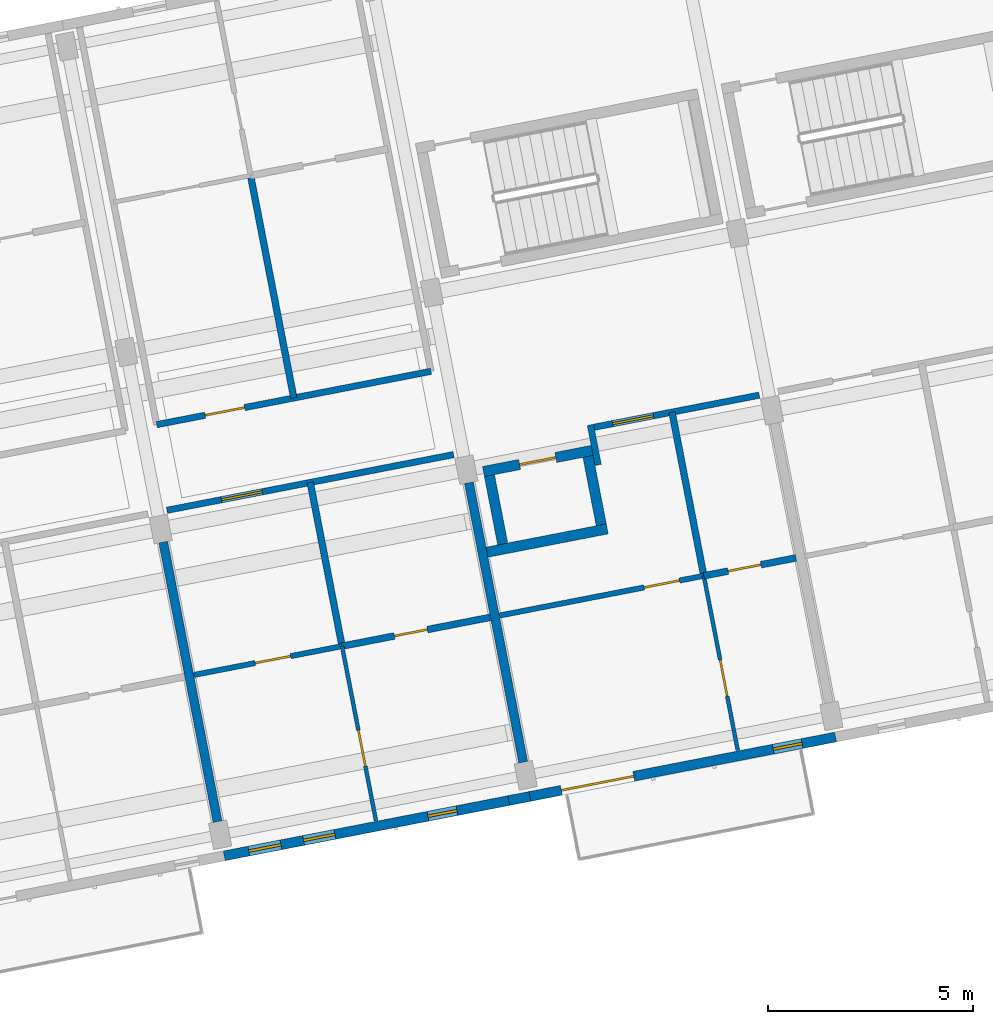
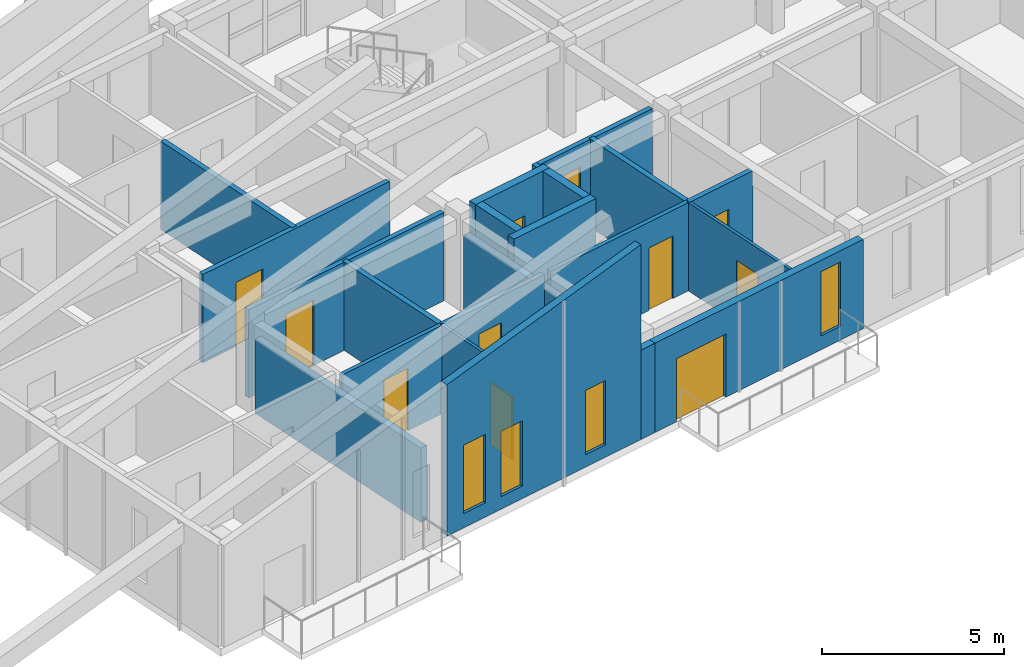
# One storey, part 32 of 64: 22 walls, 11 doors, 4 windows, 15 openings.
"""IFC4 building model written with IfcOpenShell, lengths in metres."""

from ifc_helpers import new_model, si_unit, direction, frame, frame_2d, origin, place, context, subcontext, project, spatial, polyline, rectangle, outline, extrude, material, layer, layer_set, type_object, element, fill, save


model = new_model("IFC4")

# Units and contexts
model_context = context("Model", 3, precision=1e-05, world=origin(), true_north=direction((0.0, 1.0)))
body_context = subcontext(model_context, "Body", "Model", "MODEL_VIEW")
ifc_project = project(units=[si_unit("LENGTHUNIT", "METRE"), si_unit("AREAUNIT", "SQUARE_METRE"), si_unit("VOLUMEUNIT", "CUBIC_METRE"), si_unit("PLANEANGLEUNIT", "RADIAN"), si_unit("MASSUNIT", "GRAM", prefix="KILO")], contexts=[model_context])

# Site, building, storey
site_placement = place(None, origin())
site = spatial("IfcSite", under=ifc_project, at=site_placement, CompositionType="ELEMENT")
building_placement = place(site_placement, origin())
building = spatial("IfcBuilding", under=site, at=building_placement, Name="Kestramere Prow Commons", CompositionType="ELEMENT")
storey_placement = place(building_placement, frame((0.0, 0.0, 24.64990234375)))
storey = spatial("IfcBuildingStorey", under=building, at=storey_placement, Name="L07", CompositionType="ELEMENT", Elevation=24.64990234375)

# Wall
ifc_material_1 = material(Name="Fluoropolymer Standing-Seam Zinc-Aluminium Cladding", Category="aluminium")
ifc_layer_1 = layer(ifc_material_1, 0.239990234375)
ifc_layer_set_1 = layer_set([ifc_layer_1], Name="Fluoropolymer Standing-Seam Zinc-Aluminium Cladding")
wall_type_1 = type_object("IfcWallType", Name="EW-SEAM-240", PredefinedType="SOLIDWALL", material=ifc_layer_set_1)
wall_1_placement = place(storey_placement, frame((140.88134765625, 37.835205078125, 0.0), z_axis=(0.0, 0.0, 1.0), x_axis=(-0.981569381911, -0.191106118411, 0.0)))
element("IfcWall", 1, at=wall_1_placement, inside=storey, type_object=wall_type_1, Name="Block D L07 South Step-Back Spandrel Wall 3", PredefinedType="SOLIDWALL", context=body_context, shape_type="SweptSolid", body=[
    extrude(rectangle(XDim=0.525146484375, YDim=0.239990234375, at=frame_2d((0.2626953125, 0.0))), origin(), (0.0, 0.0, 1.0), 3.0),
])

# Wall, openings, windows
wall_2_placement = place(storey_placement, frame((140.365966796875, 37.73486328125, 0.0), z_axis=(0.0, 0.0, 1.0), x_axis=(-0.981630651863, -0.190791151058, 0.0)))
wall_2 = element("IfcWall", 2, at=wall_2_placement, inside=storey, type_object=wall_type_1, Name="Block D L07 South Standing-Seam Wall 3", PredefinedType="SOLIDWALL", context=body_context, shape_type="SweptSolid", body=[
    extrude(outline(polyline([(0.0, 0.0), (7.074951171875, 0.0), (7.074951171875, 5.0908203125), (0.0, 6.55517578125), (0.0, 0.0)])), frame((0.0, 0.1201171875, 0.0), z_axis=(0.0, -1.0, 0.0), x_axis=(1.0, 0.0, 0.0)), (0.0, 0.0, 1.0), 0.239990234375),
])
opening_1_placement = place(wall_2_placement, frame((1.289306640625, 0.0, 0.419921875)))
opening_1 = element("IfcOpeningElement", 3, at=opening_1_placement, cuts=wall_2, Name="Opening WN-08", PredefinedType="OPENING", context=body_context, shape_type="SweptSolid", body=[
    extrude(rectangle(XDim=0.719970703125, YDim=2.159912109375, at=frame_2d((0.35986328125, 1.080078125))), frame((0.0, 0.135009765625, 0.0), z_axis=(0.0, -1.0, 0.0), x_axis=(1.0, 0.0, 0.0)), (0.0, 0.0, 1.0), 0.27001953125),
])
opening_2_placement = place(wall_2_placement, frame((4.322998046875, 0.0, 0.419921875)))
opening_2 = element("IfcOpeningElement", 4, at=opening_2_placement, cuts=wall_2, Name="Opening WN-11", PredefinedType="OPENING", context=body_context, shape_type="SweptSolid", body=[
    extrude(rectangle(XDim=0.780029296875, YDim=2.199951171875, at=frame_2d((0.39013671875, 1.10009765625))), frame((0.0, 0.135009765625, 0.0), z_axis=(0.0, -1.0, 0.0), x_axis=(1.0, 0.0, 0.0)), (0.0, 0.0, 1.0), 0.27001953125),
])
opening_3_placement = place(wall_2_placement, frame((5.6650390625, 0.0, 0.47998046875)))
opening_3 = element("IfcOpeningElement", 5, at=opening_3_placement, cuts=wall_2, Name="Opening WN-12", PredefinedType="OPENING", context=body_context, shape_type="SweptSolid", body=[
    extrude(rectangle(XDim=0.800048828125, YDim=2.300048828125, at=frame_2d((0.39990234375, 1.14990234375))), frame((0.0, 0.135009765625, 0.0), z_axis=(0.0, -1.0, 0.0), x_axis=(1.0, 0.0, 0.0)), (0.0, 0.0, 1.0), 0.27001953125),
])
ifc_material_2 = material(Name="Low-E Laminated Double Glazing", Category="glass")
window_type_1 = type_object("IfcWindowType", Name="WN-NAR-720A", PartitioningType="SINGLE_PANEL", PredefinedType="WINDOW", material=ifc_material_2)
window_1_placement = place(opening_1_placement, origin())
window_1 = element("IfcWindow", 6, at=window_1_placement, inside=storey, type_object=window_type_1, Name="WN-D-L07-S-2-00", OverallHeight=2.159912109375, OverallWidth=0.719970703125, PartitioningType="SINGLE_PANEL", PredefinedType="WINDOW", context=body_context, shape_type="SweptSolid", body=[
    extrude(rectangle(XDim=0.719970703125, YDim=2.159912109375, at=frame_2d((0.35986328125, 1.080078125))), frame((0.0, 0.030029296875, 0.0), z_axis=(0.0, -1.0, 0.0), x_axis=(1.0, 0.0, 0.0)), (0.0, 0.0, 1.0), 0.06005859375),
])
fill(opening_1, window_1)
window_type_2 = type_object("IfcWindowType", Name="WN-NAR-780A", PartitioningType="SINGLE_PANEL", PredefinedType="WINDOW", material=ifc_material_2)
window_2_placement = place(opening_2_placement, origin())
window_2 = element("IfcWindow", 7, at=window_2_placement, inside=storey, type_object=window_type_2, Name="WN-D-L07-S-2-10", OverallHeight=2.199951171875, OverallWidth=0.780029296875, PartitioningType="SINGLE_PANEL", PredefinedType="WINDOW", context=body_context, shape_type="SweptSolid", body=[
    extrude(rectangle(XDim=0.780029296875, YDim=2.199951171875, at=frame_2d((0.39013671875, 1.10009765625))), frame((0.0, 0.030029296875, 0.0), z_axis=(0.0, -1.0, 0.0), x_axis=(1.0, 0.0, 0.0)), (0.0, 0.0, 1.0), 0.06005859375),
])
fill(opening_2, window_2)
window_type_3 = type_object("IfcWindowType", Name="WN-NAR-800A", PartitioningType="SINGLE_PANEL", PredefinedType="WINDOW", material=ifc_material_2)
window_3_placement = place(opening_3_placement, origin())
window_3 = element("IfcWindow", 8, at=window_3_placement, inside=storey, type_object=window_type_3, Name="WN-D-L07-S-2-11", OverallHeight=2.300048828125, OverallWidth=0.800048828125, PartitioningType="SINGLE_PANEL", PredefinedType="WINDOW", context=body_context, shape_type="SweptSolid", body=[
    extrude(rectangle(XDim=0.800048828125, YDim=2.300048828125, at=frame_2d((0.39990234375, 1.14990234375))), frame((0.0, 0.030029296875, 0.0), z_axis=(0.0, -1.0, 0.0), x_axis=(1.0, 0.0, 0.0)), (0.0, 0.0, 1.0), 0.06005859375),
])
fill(opening_3, window_3)

# Wall, openings, door, window
wall_3_placement = place(storey_placement, frame((148.341552734375, 39.28515625, 0.0), z_axis=(0.0, 0.0, 1.0), x_axis=(-0.981631269434, -0.190787973596, 0.0)))
wall_3 = element("IfcWall", 9, at=wall_3_placement, inside=storey, type_object=wall_type_1, Name="Block D L07 South Standing-Seam Wall 4", PredefinedType="SOLIDWALL", context=body_context, shape_type="SweptSolid", body=[
    extrude(rectangle(XDim=7.599853515625, YDim=0.239990234375, at=frame_2d((3.7998046875, 0.0))), origin(), (0.0, 0.0, 1.0), 3.0),
])
opening_4_placement = place(wall_3_placement, frame((5.01904296875, 0.0, 0.0)))
opening_4 = element("IfcOpeningElement", 10, at=opening_4_placement, cuts=wall_3, Name="Opening GD-BAL-02", PredefinedType="OPENING", context=body_context, shape_type="SweptSolid", body=[
    extrude(rectangle(XDim=1.800048828125, YDim=2.1201171875, at=frame_2d((0.89990234375, 1.06005859375))), frame((0.0, 0.135009765625, 0.0), z_axis=(0.0, -1.0, 0.0), x_axis=(1.0, 0.0, 0.0)), (0.0, 0.0, 1.0), 0.27001953125),
])
opening_5_placement = place(wall_3_placement, frame((0.830078125, 0.0, 0.4599609375)))
opening_5 = element("IfcOpeningElement", 11, at=opening_5_placement, cuts=wall_3, Name="Opening WN-08", PredefinedType="OPENING", context=body_context, shape_type="SweptSolid", body=[
    extrude(rectangle(XDim=0.719970703125, YDim=2.159912109375, at=frame_2d((0.35986328125, 1.080078125))), frame((0.0, 0.135009765625, 0.0), z_axis=(0.0, -1.0, 0.0), x_axis=(1.0, 0.0, 0.0)), (0.0, 0.0, 1.0), 0.27001953125),
])
ifc_material_3 = material(Name="Thermally-Broken Anodised Aluminium Glazed", Category="aluminium")
door_type_1 = type_object("IfcDoorType", Name="GD-BAL-1800", OperationType="SLIDING_TO_LEFT", PredefinedType="DOOR", material=ifc_material_3)
door_1_placement = place(opening_4_placement, origin())
door_1 = element("IfcDoor", 12, at=door_1_placement, inside=storey, type_object=door_type_1, Name="Block D L07 Balcony Door 4", OperationType="SLIDING_TO_LEFT", OverallHeight=2.1201171875, OverallWidth=1.800048828125, PredefinedType="DOOR", context=body_context, shape_type="SweptSolid", body=[
    extrude(rectangle(XDim=1.800048828125, YDim=2.1201171875, at=frame_2d((0.89990234375, 1.06005859375))), frame((0.0, 0.02490234375, 0.0), z_axis=(0.0, -1.0, 0.0), x_axis=(1.0, 0.0, 0.0)), (0.0, 0.0, 1.0), 0.050048828125),
])
fill(opening_4, door_1)
window_4_placement = place(opening_5_placement, origin())
window_4 = element("IfcWindow", 13, at=window_4_placement, inside=storey, type_object=window_type_1, Name="WN-D-L07-SR-3", OverallHeight=2.159912109375, OverallWidth=0.719970703125, PartitioningType="SINGLE_PANEL", PredefinedType="WINDOW", context=body_context, shape_type="SweptSolid", body=[
    extrude(rectangle(XDim=0.719970703125, YDim=2.159912109375, at=frame_2d((0.35986328125, 1.080078125))), frame((0.0, 0.030029296875, 0.0), z_axis=(0.0, -1.0, 0.0), x_axis=(1.0, 0.0, 0.0)), (0.0, 0.0, 1.0), 0.06005859375),
])
fill(opening_5, window_4)

# Wall, opening, door
ifc_material_4 = material(Name="Fire-Rated Calcium Silicate Wall")
ifc_layer_2 = layer(ifc_material_4, 0.155029296875)
ifc_layer_set_2 = layer_set([ifc_layer_2], Name="Fire-Rated Calcium Silicate Wall")
wall_type_2 = type_object("IfcWallType", Name="W-FIRE-150", PredefinedType="PARTITIONING", material=ifc_layer_set_2)
wall_4_placement = place(storey_placement, frame((132.021240234375, 44.81787109375, 0.0), z_axis=(0.0, 0.0, 1.0), x_axis=(0.981629109582, 0.190799086008, 0.0)))
wall_4 = element("IfcWall", 14, at=wall_4_placement, inside=storey, type_object=wall_type_2, Name="Interior Partition PW-D-L07-CS-2", PredefinedType="PARTITIONING", context=body_context, shape_type="SweptSolid", body=[
    extrude(rectangle(XDim=7.129638671875, YDim=0.155029296875, at=frame_2d((3.56494140625, 0.0))), origin(), (0.0, 0.0, 1.0), 2.97021484375),
])
opening_6_placement = place(wall_4_placement, frame((1.35498046875, 0.0, 0.0)))
opening_6 = element("IfcOpeningElement", 15, at=opening_6_placement, cuts=wall_4, Name="Opening ID-05", PredefinedType="OPENING", context=body_context, shape_type="SweptSolid", body=[
    extrude(rectangle(XDim=1.02001953125, YDim=2.199951171875, at=frame_2d((0.510009765625, 1.10009765625))), frame((0.0, 0.092529296875, 0.0), z_axis=(0.0, -1.0, 0.0), x_axis=(1.0, 0.0, 0.0)), (0.0, 0.0, 1.0), 0.18505859375),
])
ifc_material_5 = material(Name="Hardwood Fire-Rated Flat Entrance Door", Category="wood")
door_type_2 = type_object("IfcDoorType", Name="FD-ENT-02", OperationType="NOTDEFINED", PredefinedType="DOOR", material=ifc_material_5)
door_2_placement = place(opening_6_placement, origin())
door_2 = element("IfcDoor", 16, at=door_2_placement, inside=storey, type_object=door_type_2, Name="Interior Door DR-D-L07-ENT-S2", OperationType="SINGLE_SWING_RIGHT", OverallHeight=2.199951171875, OverallWidth=1.02001953125, PredefinedType="DOOR", context=body_context, shape_type="SweptSolid", body=[
    extrude(rectangle(XDim=1.02001953125, YDim=2.199951171875, at=frame_2d((0.510009765625, 1.10009765625))), frame((0.0, 0.02490234375, 0.0), z_axis=(0.0, -1.0, 0.0), x_axis=(1.0, 0.0, 0.0)), (0.0, 0.0, 1.0), 0.050048828125),
])
fill(opening_6, door_2)

# Wall
wall_5_placement = place(storey_placement, frame((142.5478515625, 45.9267578125, 0.0), z_axis=(0.0, 0.0, 1.0), x_axis=(-0.190639805817, 0.981660055436, 0.0)))
element("IfcWall", 17, at=wall_5_placement, inside=storey, type_object=wall_type_2, Name="Interior Partition PW-D-L07-HS-CLOSER", PredefinedType="PARTITIONING", context=body_context, shape_type="SweptSolid", body=[
    extrude(rectangle(XDim=0.9951171875, YDim=0.155029296875, at=frame_2d((0.49755859375, 0.0))), origin(), (0.0, 0.0, 1.0), 2.97021484375),
])

# Wall, opening, door
wall_6_placement = place(storey_placement, frame((142.450927734375, 46.84521484375, 0.0), z_axis=(0.0, 0.0, 1.0), x_axis=(0.981629934904, 0.190794839817, 0.0)))
wall_6 = element("IfcWall", 18, at=wall_6_placement, inside=storey, type_object=wall_type_2, Name="Interior Partition PW-D-L07-CS-3", PredefinedType="PARTITIONING", context=body_context, shape_type="SweptSolid", body=[
    extrude(rectangle(XDim=4.10498046875, YDim=0.155029296875, at=frame_2d((2.052490234375, 0.0))), origin(), (0.0, 0.0, 1.0), 2.97021484375),
])
opening_7_placement = place(wall_6_placement, frame((0.4580078125, 0.0, 0.0)))
opening_7 = element("IfcOpeningElement", 19, at=opening_7_placement, cuts=wall_6, Name="Opening ID-05", PredefinedType="OPENING", context=body_context, shape_type="SweptSolid", body=[
    extrude(rectangle(XDim=1.02001953125, YDim=2.199951171875, at=frame_2d((0.510009765625, 1.10009765625))), frame((0.0, 0.092529296875, 0.0), z_axis=(0.0, -1.0, 0.0), x_axis=(1.0, 0.0, 0.0)), (0.0, 0.0, 1.0), 0.18505859375),
])
door_3_placement = place(opening_7_placement, origin())
door_3 = element("IfcDoor", 20, at=door_3_placement, inside=storey, type_object=door_type_2, Name="Interior Door DR-D-L07-ENT-S3", OperationType="SINGLE_SWING_LEFT", OverallHeight=2.199951171875, OverallWidth=1.02001953125, PredefinedType="DOOR", context=body_context, shape_type="SweptSolid", body=[
    extrude(rectangle(XDim=1.02001953125, YDim=2.199951171875, at=frame_2d((0.510009765625, 1.10009765625))), frame((0.0, 0.02490234375, 0.0), z_axis=(0.0, -1.0, 0.0), x_axis=(1.0, 0.0, 0.0)), (0.0, 0.0, 1.0), 0.050048828125),
])
fill(opening_7, door_3)

wall_7_placement = place(storey_placement, frame((131.7724609375, 46.90869140625, 0.0), z_axis=(0.0, 0.0, 1.0), x_axis=(0.981622468528, 0.190833249935, 0.0)))
wall_7 = element("IfcWall", 21, at=wall_7_placement, inside=storey, type_object=wall_type_2, Name="Interior Partition PW-D-L07-CN-2", PredefinedType="PARTITIONING", context=body_context, shape_type="SweptSolid", body=[
    extrude(rectangle(XDim=6.820068359375, YDim=0.155029296875, at=frame_2d((3.41015625, 0.0))), origin(), (0.0, 0.0, 1.0), 2.97021484375),
])
opening_8_placement = place(wall_7_placement, frame((1.205078125, 0.0, 0.0)))
opening_8 = element("IfcOpeningElement", 22, at=opening_8_placement, cuts=wall_7, Name="Opening ID-04", PredefinedType="OPENING", context=body_context, shape_type="SweptSolid", body=[
    extrude(rectangle(XDim=0.97998046875, YDim=2.14990234375, at=frame_2d((0.489990234375, 1.074951171875))), frame((0.0, 0.092529296875, 0.0), z_axis=(0.0, -1.0, 0.0), x_axis=(1.0, 0.0, 0.0)), (0.0, 0.0, 1.0), 0.18505859375),
])
door_type_3 = type_object("IfcDoorType", Name="FD-ENT-01", OperationType="NOTDEFINED", PredefinedType="DOOR", material=ifc_material_5)
door_4_placement = place(opening_8_placement, origin())
door_4 = element("IfcDoor", 23, at=door_4_placement, inside=storey, type_object=door_type_3, Name="Interior Door DR-D-L07-ENT-N2", OperationType="SINGLE_SWING_LEFT", OverallHeight=2.14990234375, OverallWidth=0.97998046875, PredefinedType="DOOR", context=body_context, shape_type="SweptSolid", body=[
    extrude(rectangle(XDim=0.97998046875, YDim=2.14990234375, at=frame_2d((0.489990234375, 1.074951171875))), frame((0.0, 0.02490234375, 0.0), z_axis=(0.0, -1.0, 0.0), x_axis=(1.0, 0.0, 0.0)), (0.0, 0.0, 1.0), 0.050048828125),
])
fill(opening_8, door_4)

# Wall
ifc_material_6 = material(Name="Concrete C40/50", Category="concrete")
ifc_layer_3 = layer(ifc_material_6, 0.25)
ifc_layer_set_3 = layer_set([ifc_layer_3], Name="Concrete C40/50")
wall_type_3 = type_object("IfcWallType", Name="W-HS-250", PredefinedType="SHEAR", material=ifc_layer_set_3)
wall_8_placement = place(storey_placement, frame((139.8349609375, 43.794921875, 0.0), z_axis=(0.0, 0.0, 1.0), x_axis=(0.981624737535, 0.190821578075, 0.0)))
element("IfcWall", 24, at=wall_8_placement, inside=storey, type_object=wall_type_3, Name="Block D L07 Household Shelter South Wall", PredefinedType="SHEAR", context=body_context, shape_type="SweptSolid", body=[
    extrude(rectangle(XDim=2.989990234375, YDim=0.25, at=frame_2d((1.4951171875, 0.0))), origin(), (0.0, 0.0, 1.0), 3.25),
])

# Wall, opening, door
wall_9_placement = place(storey_placement, frame((139.74755859375, 45.764404296875, 0.0), z_axis=(0.0, 0.0, 1.0), x_axis=(0.981630445883, 0.190792210834, 0.0)))
wall_9 = element("IfcWall", 25, at=wall_9_placement, inside=storey, type_object=wall_type_3, Name="Block D L07 Household Shelter North Wall", PredefinedType="SHEAR", context=body_context, shape_type="SweptSolid", body=[
    extrude(rectangle(XDim=2.699951171875, YDim=0.25, at=frame_2d((1.35009765625, 0.0))), origin(), (0.0, 0.0, 1.0), 3.25),
])
opening_9_placement = place(wall_9_placement, frame((0.89990234375, 0.0, 0.0)))
opening_9 = element("IfcOpeningElement", 26, at=opening_9_placement, cuts=wall_9, Name="Opening ID-06", PredefinedType="OPENING", context=body_context, shape_type="SweptSolid", body=[
    extrude(rectangle(XDim=0.89990234375, YDim=2.050048828125, at=frame_2d((0.449951171875, 1.02490234375))), frame((0.0, 0.139892578125, 0.0), z_axis=(0.0, -1.0, 0.0), x_axis=(1.0, 0.0, 0.0)), (0.0, 0.0, 1.0), 0.280029296875),
])
ifc_material_7 = material(Name="Galvanised Steel S275JR Household Shelter Door", Category="steel")
door_type_4 = type_object("IfcDoorType", Name="FD-HS-01", OperationType="NOTDEFINED", PredefinedType="DOOR", material=ifc_material_7)
door_5_placement = place(opening_9_placement, origin())
door_5 = element("IfcDoor", 27, at=door_5_placement, inside=storey, type_object=door_type_4, Name="Block D L07 Household Shelter Blast Door", OperationType="SINGLE_SWING_LEFT", OverallHeight=2.050048828125, OverallWidth=0.89990234375, PredefinedType="DOOR", context=body_context, shape_type="SweptSolid", body=[
    extrude(rectangle(XDim=0.89990234375, YDim=2.050048828125, at=frame_2d((0.449951171875, 1.02490234375))), frame((0.0, 0.02490234375, 0.0), z_axis=(0.0, -1.0, 0.0), x_axis=(1.0, 0.0, 0.0)), (0.0, 0.0, 1.0), 0.050048828125),
])
fill(opening_9, door_5)

# Walls
for number, where, z_axis, x_axis, name in (
    (28, (140.21826171875, 43.996826171875, 0.0), (0.0, 0.0, 1.0), (-0.190727425199, 0.981643035567, 0.0), "Block D L07 Household Shelter W Wall"),
    (29, (142.623291015625, 44.46435546875, 0.0), (0.0, 0.0, 1.0), (-0.190727425199, 0.981643035567, 0.0), "Block D L07 Household Shelter E Wall"),
):
    element("IfcWall", number, at=place(storey_placement, frame(where, z_axis=z_axis, x_axis=x_axis)), inside=storey, type_object=wall_type_3, Name=name, PredefinedType="SHEAR", context=body_context, shape_type="SweptSolid", body=[
        extrude(rectangle(XDim=1.699951171875, YDim=0.25, at=frame_2d((0.85009765625, 0.0))), origin(), (0.0, 0.0, 1.0), 3.25),
    ])

# Wall, opening, door
ifc_material_8 = material(Name="Lightweight Blockwork and Plaster", Category="masonry")
ifc_layer_4 = layer(ifc_material_8, 0.1298828125)
ifc_layer_set_4 = layer_set([ifc_layer_4], Name="Lightweight Blockwork and Plaster")
wall_type_4 = type_object("IfcWallType", Name="W-PART-130", PredefinedType="PARTITIONING", material=ifc_layer_set_4)
wall_10_placement = place(storey_placement, frame((132.679931640625, 40.799560546875, 0.0), z_axis=(0.0, 0.0, 1.0), x_axis=(0.981626422232, 0.190812911449, 0.0)))
wall_10 = element("IfcWall", 30, at=wall_10_placement, inside=storey, type_object=wall_type_4, Name="Interior Partition PW-D-L07-MIDS1-2", PredefinedType="PARTITIONING", context=body_context, shape_type="SweptSolid", body=[
    extrude(rectangle(XDim=3.684814453125, YDim=0.1298828125, at=frame_2d((1.84228515625, 0.0))), origin(), (0.0, 0.0, 1.0), 2.97021484375),
])
opening_10_placement = place(wall_10_placement, frame((1.52490234375, 0.0, 0.0)))
opening_10 = element("IfcOpeningElement", 31, at=opening_10_placement, cuts=wall_10, Name="Opening ID-10", PredefinedType="OPENING", context=body_context, shape_type="SweptSolid", body=[
    extrude(rectangle(XDim=0.8798828125, YDim=2.10009765625, at=frame_2d((0.43994140625, 1.050048828125))), frame((0.0, 0.079833984375, 0.0), z_axis=(0.0, -1.0, 0.0), x_axis=(1.0, 0.0, 0.0)), (0.0, 0.0, 1.0), 0.159912109375),
])
ifc_material_9 = material(Name="Engineered Timber Bedroom Door", Category="wood")
door_type_5 = type_object("IfcDoorType", Name="D-RM-03", OperationType="NOTDEFINED", PredefinedType="DOOR", material=ifc_material_9)
door_6_placement = place(opening_10_placement, origin())
door_6 = element("IfcDoor", 32, at=door_6_placement, inside=storey, type_object=door_type_5, Name="Interior Door DR-D-L07-KL-S2", OperationType="SINGLE_SWING_RIGHT", OverallHeight=2.10009765625, OverallWidth=0.8798828125, PredefinedType="DOOR", context=body_context, shape_type="SweptSolid", body=[
    extrude(rectangle(XDim=0.8798828125, YDim=2.10009765625, at=frame_2d((0.43994140625, 1.050048828125))), frame((0.0, 0.02490234375, 0.0), z_axis=(0.0, -1.0, 0.0), x_axis=(1.0, 0.0, 0.0)), (0.0, 0.0, 1.0), 0.050048828125),
])
fill(opening_10, door_6)

wall_11_placement = place(storey_placement, frame((140.140380859375, 42.249755859375, 0.0), z_axis=(0.0, 0.0, 1.0), x_axis=(0.98162014174, 0.190845218255, 0.0)))
wall_11 = element("IfcWall", 33, at=wall_11_placement, inside=storey, type_object=wall_type_4, Name="Interior Partition PW-D-L07-MIDS1-3", PredefinedType="PARTITIONING", context=body_context, shape_type="SweptSolid", body=[
    extrude(rectangle(XDim=5.079833984375, YDim=0.1298828125, at=frame_2d((2.5400390625, 0.0))), origin(), (0.0, 0.0, 1.0), 2.97021484375),
])
opening_11_placement = place(wall_11_placement, frame((3.594970703125, 0.0, 0.0)))
opening_11 = element("IfcOpeningElement", 34, at=opening_11_placement, cuts=wall_11, Name="Opening ID-10", PredefinedType="OPENING", context=body_context, shape_type="SweptSolid", body=[
    extrude(rectangle(XDim=0.8798828125, YDim=2.10009765625, at=frame_2d((0.43994140625, 1.050048828125))), frame((0.0, 0.079833984375, 0.0), z_axis=(0.0, -1.0, 0.0), x_axis=(1.0, 0.0, 0.0)), (0.0, 0.0, 1.0), 0.159912109375),
])
door_7_placement = place(opening_11_placement, origin())
door_7 = element("IfcDoor", 35, at=door_7_placement, inside=storey, type_object=door_type_5, Name="Interior Door DR-D-L07-KL-S3", OperationType="SINGLE_SWING_RIGHT", OverallHeight=2.10009765625, OverallWidth=0.8798828125, PredefinedType="DOOR", context=body_context, shape_type="SweptSolid", body=[
    extrude(rectangle(XDim=0.8798828125, YDim=2.10009765625, at=frame_2d((0.43994140625, 1.050048828125))), frame((0.0, 0.02490234375, 0.0), z_axis=(0.0, -1.0, 0.0), x_axis=(1.0, 0.0, 0.0)), (0.0, 0.0, 1.0), 0.050048828125),
])
fill(opening_11, door_7)

ifc_material_10 = material(Name="Gypsum Acoustic Drywall")
ifc_layer_5 = layer(ifc_material_10, 0.094970703125)
ifc_layer_set_5 = layer_set([ifc_layer_5], Name="Gypsum Acoustic Drywall")
wall_type_5 = type_object("IfcWallType", Name="W-PART-95", PredefinedType="PARTITIONING", material=ifc_layer_set_5)
wall_12_placement = place(storey_placement, frame((137.125244140625, 37.242431640625, 0.0), z_axis=(0.0, 0.0, 1.0), x_axis=(-0.190812443151, 0.981626513262, 0.0)))
wall_12 = element("IfcWall", 36, at=wall_12_placement, inside=storey, type_object=wall_type_5, Name="Interior Partition PW-D-L07-LB-S2", PredefinedType="PARTITIONING", context=body_context, shape_type="SweptSolid", body=[
    extrude(rectangle(XDim=4.340087890625, YDim=0.094970703125, at=frame_2d((2.169921875, 0.0))), origin(), (0.0, 0.0, 1.0), 2.97021484375),
])
opening_12_placement = place(wall_12_placement, frame((1.35009765625, 0.0, 0.0)))
opening_12 = element("IfcOpeningElement", 37, at=opening_12_placement, cuts=wall_12, Name="Opening ID-08", PredefinedType="OPENING", context=body_context, shape_type="SweptSolid", body=[
    extrude(rectangle(XDim=0.89990234375, YDim=2.10009765625, at=frame_2d((0.449951171875, 1.050048828125))), frame((0.0, 0.0625, 0.0), z_axis=(0.0, -1.0, 0.0), x_axis=(1.0, 0.0, 0.0)), (0.0, 0.0, 1.0), 0.125),
])
ifc_material_11 = material(Name="Engineered Timber Flush Door", Category="wood")
door_type_6 = type_object("IfcDoorType", Name="D-RM-01", OperationType="NOTDEFINED", PredefinedType="DOOR", material=ifc_material_11)
door_8_placement = place(opening_12_placement, origin())
door_8 = element("IfcDoor", 38, at=door_8_placement, inside=storey, type_object=door_type_6, Name="Interior Door DR-D-L07-BED-S2", OperationType="SINGLE_SWING_LEFT", OverallHeight=2.10009765625, OverallWidth=0.89990234375, PredefinedType="DOOR", context=body_context, shape_type="SweptSolid", body=[
    extrude(rectangle(XDim=0.89990234375, YDim=2.10009765625, at=frame_2d((0.449951171875, 1.050048828125))), frame((0.0, 0.02490234375, 0.0), z_axis=(0.0, -1.0, 0.0), x_axis=(1.0, 0.0, 0.0)), (0.0, 0.0, 1.0), 0.050048828125),
])
fill(opening_12, door_8)

wall_13_placement = place(storey_placement, frame((145.955078125, 38.958984375, 0.0), z_axis=(0.0, 0.0, 1.0), x_axis=(-0.190812443151, 0.981626513262, 0.0)))
wall_13 = element("IfcWall", 39, at=wall_13_placement, inside=storey, type_object=wall_type_5, Name="Interior Partition PW-D-L07-LB-S3", PredefinedType="PARTITIONING", context=body_context, shape_type="SweptSolid", body=[
    extrude(rectangle(XDim=4.340087890625, YDim=0.094970703125, at=frame_2d((2.169921875, 0.0))), origin(), (0.0, 0.0, 1.0), 2.97021484375),
])
opening_13_placement = place(wall_13_placement, frame((1.35009765625, 0.0, 0.0)))
opening_13 = element("IfcOpeningElement", 40, at=opening_13_placement, cuts=wall_13, Name="Opening ID-08", PredefinedType="OPENING", context=body_context, shape_type="SweptSolid", body=[
    extrude(rectangle(XDim=0.89990234375, YDim=2.10009765625, at=frame_2d((0.449951171875, 1.050048828125))), frame((0.0, 0.0625, 0.0), z_axis=(0.0, -1.0, 0.0), x_axis=(1.0, 0.0, 0.0)), (0.0, 0.0, 1.0), 0.125),
])
door_9_placement = place(opening_13_placement, origin())
door_9 = element("IfcDoor", 41, at=door_9_placement, inside=storey, type_object=door_type_6, Name="Interior Door DR-D-L07-BED-S3", OperationType="SINGLE_SWING_RIGHT", OverallHeight=2.10009765625, OverallWidth=0.89990234375, PredefinedType="DOOR", context=body_context, shape_type="SweptSolid", body=[
    extrude(rectangle(XDim=0.89990234375, YDim=2.10009765625, at=frame_2d((0.449951171875, 1.050048828125))), frame((0.0, 0.02490234375, 0.0), z_axis=(0.0, -1.0, 0.0), x_axis=(1.0, 0.0, 0.0)), (0.0, 0.0, 1.0), 0.050048828125),
])
fill(opening_13, door_9)

ifc_material_12 = material(Name="Waterproof Sanitary Masonry Wall", Category="masonry")
ifc_layer_6 = layer(ifc_material_12, 0.1650390625)
ifc_layer_set_6 = layer_set([ifc_layer_6], Name="Waterproof Sanitary Masonry Wall")
wall_type_6 = type_object("IfcWallType", Name="W-PLUMB-150", PredefinedType="PLUMBINGWALL", material=ifc_layer_set_6)
wall_14_placement = place(storey_placement, frame((136.297119140625, 41.502685546875, 0.0), z_axis=(0.0, 0.0, 1.0), x_axis=(0.981628834294, 0.190800502313, 0.0)))
wall_14 = element("IfcWall", 42, at=wall_14_placement, inside=storey, type_object=wall_type_6, Name="Interior Partition PW-D-L07-MIDS2-2", PredefinedType="PLUMBINGWALL", context=body_context, shape_type="SweptSolid", body=[
    extrude(rectangle(XDim=3.68505859375, YDim=0.1650390625, at=frame_2d((1.842529296875, 0.0))), origin(), (0.0, 0.0, 1.0), 2.97021484375),
])
opening_14_placement = place(wall_14_placement, frame((1.300048828125, 0.0, 0.0)))
opening_14 = element("IfcOpeningElement", 43, at=opening_14_placement, cuts=wall_14, Name="Opening ID-11", PredefinedType="OPENING", context=body_context, shape_type="SweptSolid", body=[
    extrude(rectangle(XDim=0.820068359375, YDim=2.080078125, at=frame_2d((0.41015625, 1.0400390625))), frame((0.0, 0.097412109375, 0.0), z_axis=(0.0, -1.0, 0.0), x_axis=(1.0, 0.0, 0.0)), (0.0, 0.0, 1.0), 0.195068359375),
])
ifc_material_13 = material(Name="Moisture-Resistant Timber Bathroom Door", Category="wood")
door_type_7 = type_object("IfcDoorType", Name="D-BT-01", OperationType="NOTDEFINED", PredefinedType="DOOR", material=ifc_material_13)
door_10_placement = place(opening_14_placement, origin())
door_10 = element("IfcDoor", 44, at=door_10_placement, inside=storey, type_object=door_type_7, Name="Interior Door DR-D-L07-BTH-S2", OperationType="SINGLE_SWING_LEFT", OverallHeight=2.080078125, OverallWidth=0.820068359375, PredefinedType="DOOR", context=body_context, shape_type="SweptSolid", body=[
    extrude(rectangle(XDim=0.820068359375, YDim=2.080078125, at=frame_2d((0.41015625, 1.0400390625))), frame((0.0, 0.02490234375, 0.0), z_axis=(0.0, -1.0, 0.0), x_axis=(1.0, 0.0, 0.0)), (0.0, 0.0, 1.0), 0.050048828125),
])
fill(opening_14, door_10)

# Wall
wall_15_placement = place(storey_placement, frame((136.297119140625, 41.502685546875, 0.0), z_axis=(0.0, 0.0, 1.0), x_axis=(-0.190807044121, 0.981627562731, 0.0)))
element("IfcWall", 45, at=wall_15_placement, inside=storey, type_object=wall_type_6, Name="Interior Partition PW-D-L07-KB-S2", PredefinedType="PLUMBINGWALL", context=body_context, shape_type="SweptSolid", body=[
    extrude(rectangle(XDim=4.070068359375, YDim=0.1650390625, at=frame_2d((2.03515625, 0.0))), origin(), (0.0, 0.0, 1.0), 2.97021484375),
])

# Wall, opening, door
wall_16_placement = place(storey_placement, frame((145.126953125, 43.21923828125, 0.0), z_axis=(0.0, 0.0, 1.0), x_axis=(0.981644229922, 0.190721277946, 0.0)))
wall_16 = element("IfcWall", 46, at=wall_16_placement, inside=storey, type_object=wall_type_6, Name="Interior Partition PW-D-L07-MIDS2-3", PredefinedType="PLUMBINGWALL", context=body_context, shape_type="SweptSolid", body=[
    extrude(rectangle(XDim=2.2900390625, YDim=0.1650390625, at=frame_2d((1.14501953125, 0.0))), origin(), (0.0, 0.0, 1.0), 2.97021484375),
])
opening_15_placement = place(wall_16_placement, frame((0.60205078125, 0.0, 0.0)))
opening_15 = element("IfcOpeningElement", 47, at=opening_15_placement, cuts=wall_16, Name="Opening ID-11", PredefinedType="OPENING", context=body_context, shape_type="SweptSolid", body=[
    extrude(rectangle(XDim=0.820068359375, YDim=2.080078125, at=frame_2d((0.41015625, 1.0400390625))), frame((0.0, 0.097412109375, 0.0), z_axis=(0.0, -1.0, 0.0), x_axis=(1.0, 0.0, 0.0)), (0.0, 0.0, 1.0), 0.195068359375),
])
door_11_placement = place(opening_15_placement, origin())
door_11 = element("IfcDoor", 48, at=door_11_placement, inside=storey, type_object=door_type_7, Name="Interior Door DR-D-L07-BTH-S3", OperationType="SINGLE_SWING_LEFT", OverallHeight=2.080078125, OverallWidth=0.820068359375, PredefinedType="DOOR", context=body_context, shape_type="SweptSolid", body=[
    extrude(rectangle(XDim=0.820068359375, YDim=2.080078125, at=frame_2d((0.41015625, 1.0400390625))), frame((0.0, 0.02490234375, 0.0), z_axis=(0.0, -1.0, 0.0), x_axis=(1.0, 0.0, 0.0)), (0.0, 0.0, 1.0), 0.050048828125),
])
fill(opening_15, door_11)

# Walls
wall_17_placement = place(storey_placement, frame((145.126953125, 43.21923828125, 0.0), z_axis=(0.0, 0.0, 1.0), x_axis=(-0.19081827974, 0.981625378705, 0.0)))
element("IfcWall", 49, at=wall_17_placement, inside=storey, type_object=wall_type_6, Name="Interior Partition PW-D-L07-KB-S3", PredefinedType="PLUMBINGWALL", context=body_context, shape_type="SweptSolid", body=[
    extrude(rectangle(XDim=4.06982421875, YDim=0.1650390625, at=frame_2d((2.034912109375, 0.0))), origin(), (0.0, 0.0, 1.0), 2.97021484375),
])
wall_18_placement = place(storey_placement, frame((135.119873046875, 47.559326171875, 0.0), z_axis=(0.0, 0.0, 1.0), x_axis=(-0.190807031124, 0.981627565258, 0.0)))
element("IfcWall", 50, at=wall_18_placement, inside=storey, type_object=wall_type_6, Name="Interior Partition PW-D-L07-KB-N2", PredefinedType="PLUMBINGWALL", context=body_context, shape_type="SweptSolid", body=[
    extrude(rectangle(XDim=5.530029296875, YDim=0.1650390625, at=frame_2d((2.76513671875, 0.0))), origin(), (0.0, 0.0, 1.0), 2.97021484375),
])
ifc_material_14 = material(Name="Precast concrete C40/50", Category="concrete")
ifc_layer_7 = layer(ifc_material_14, 0.219970703125)
ifc_layer_set_7 = layer_set([ifc_layer_7], Name="Precast concrete C40/50")
wall_type_7 = type_object("IfcWallType", Name="W-XWALL-220", PredefinedType="SHEAR", material=ifc_layer_set_7)
wall_19_placement = place(storey_placement, frame((133.2587890625, 37.21923828125, 0.0), z_axis=(0.0, 0.0, 1.0), x_axis=(-0.19081042584, 0.981626905393, 0.0)))
element("IfcWall", 51, at=wall_19_placement, inside=storey, type_object=wall_type_7, Name="Block D L07 Precast Cross-Wall 2", PredefinedType="SHEAR", context=body_context, shape_type="SweptSolid", body=[
    extrude(rectangle(XDim=6.9501953125, YDim=0.219970703125, at=frame_2d((3.47509765625, 0.0))), origin(), (0.0, 0.0, 1.0), 2.5),
])
wall_20_placement = place(storey_placement, frame((140.718994140625, 38.66943359375, 0.0), z_axis=(0.0, 0.0, 1.0), x_axis=(-0.190783155939, 0.981632205773, 0.0)))
element("IfcWall", 52, at=wall_20_placement, inside=storey, type_object=wall_type_7, Name="Block D L07 Precast Cross-Wall 3", PredefinedType="SHEAR", context=body_context, shape_type="SweptSolid", body=[
    extrude(rectangle(XDim=6.949951171875, YDim=0.219970703125, at=frame_2d((3.47509765625, 0.0))), origin(), (0.0, 0.0, 1.0), 2.5),
])

save(model, "model.ifc")
